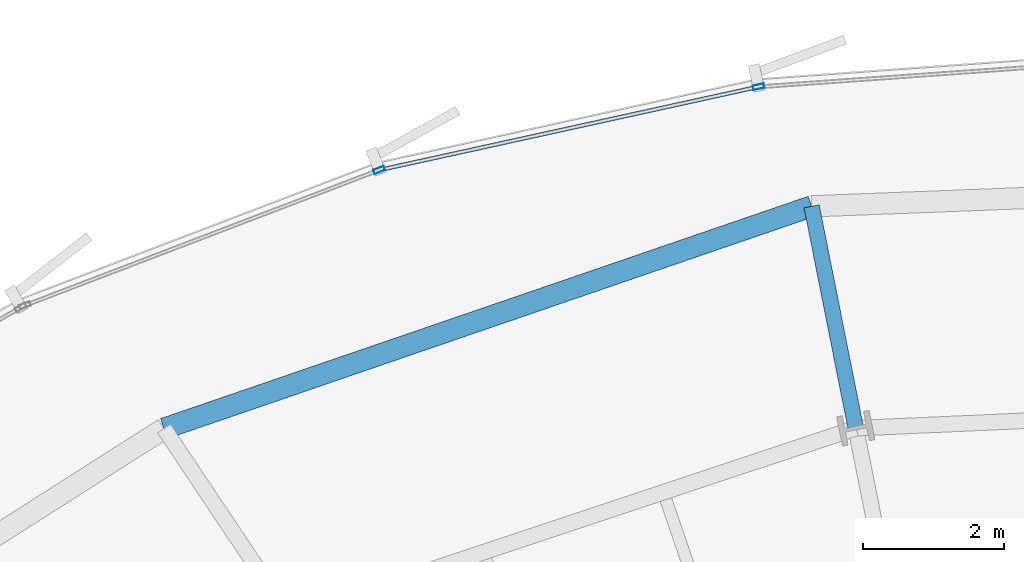
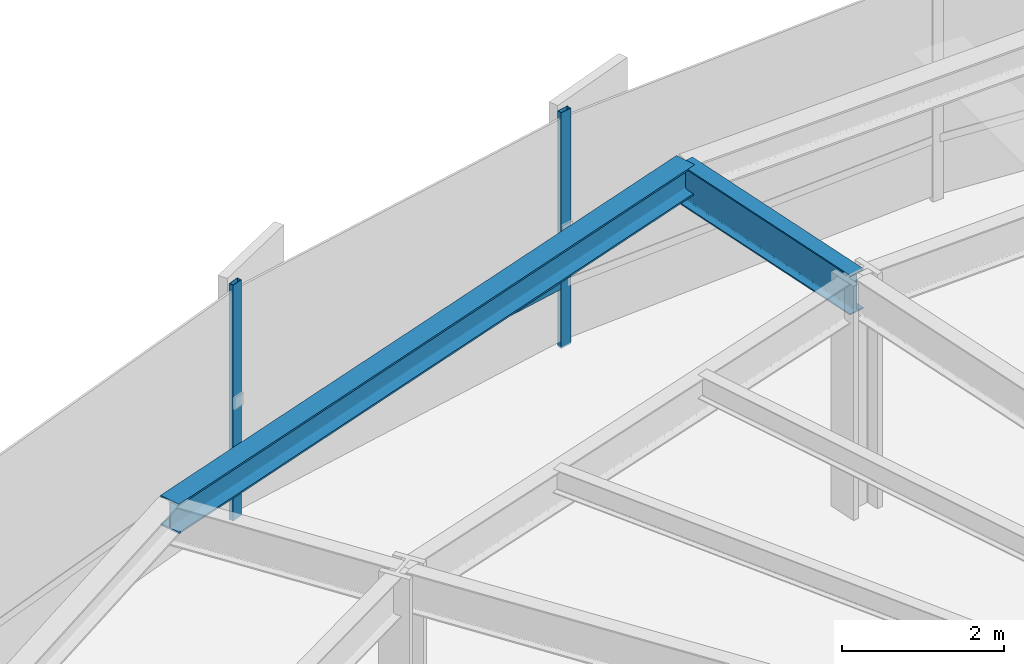
# One storey, part 20 of 38: 3 members, 2 beams, 1 element without a shape of its own.
"""IFC4 building model written with IfcOpenShell, lengths in metres."""

from ifc_helpers import new_model, si_unit, direction, frame, origin, origin_2d, place, context, subcontext, project, spatial, hollow_rectangle, i_section, extrude, source, transform, mapped, material, layer, layer_set, material_profile, profile_set, type_object, element, aggregate, save


model = new_model("IFC4")

# Units and contexts
model_context = context("Model", 3, precision=1e-05, world=origin(), true_north=direction((0.0, 1.0)))
body_context = subcontext(model_context, "Body", "Model", "MODEL_VIEW")
ifc_project = project(units=[si_unit("LENGTHUNIT", "METRE"), si_unit("AREAUNIT", "SQUARE_METRE"), si_unit("VOLUMEUNIT", "CUBIC_METRE"), si_unit("PLANEANGLEUNIT", "RADIAN"), si_unit("MASSUNIT", "GRAM", prefix="KILO"), si_unit("THERMODYNAMICTEMPERATUREUNIT", "KELVIN")], contexts=[model_context])

# Site, building, storey
site_placement = place(None, origin())
site = spatial("IfcSite", under=ifc_project, at=site_placement, CompositionType="ELEMENT")
building_placement = place(site_placement, origin())
building = spatial("IfcBuilding", under=site, at=building_placement, Name="Kethvar Cultural Tower", CompositionType="ELEMENT")
storey_placement = place(building_placement, frame((0.0, 0.0, 29.60009765625)))
storey = spatial("IfcBuildingStorey", under=building, at=storey_placement, Name="L06", CompositionType="ELEMENT", Elevation=29.60009765625)

# Beams
ifc_material_1 = material(Name="Steel S355J2", Category="steel")
ifc_material_profile_1 = material_profile(ifc_material_1, i_section(OverallWidth=0.219970703125, OverallDepth=0.60009765625, WebThickness=0.011962890625, FlangeThickness=0.01904296875, FilletRadius=0.02392578125, at=origin_2d()), Name="Steel S355J2 — IPE600")
ifc_profile_set_1 = profile_set([ifc_material_profile_1], Name="Steel S355J2 — IPE600")
beam_type_1 = type_object("IfcBeamType", Name="BM-IPE600", PredefinedType="BEAM", material=ifc_profile_set_1)
shared_shape_1 = source(origin(), body_context, "Body", "SweptSolid", [
    extrude(i_section(OverallWidth=0.219970703125, OverallDepth=0.60009765625, WebThickness=0.011962890625, FlangeThickness=0.01904296875, FilletRadius=0.02392578125, at=origin_2d()), origin(), (0.0, 0.0, 1.0), 3.199951171875),
])
beam_1_placement = place(storey_placement, frame((42.651611328125, 48.65576171875, 3.247802734375), z_axis=(-0.195162356126, 0.980770949178, 0.0), x_axis=(-0.980770949178, -0.195162356126, 0.0)))
element("IfcBeam", 1, at=beam_1_placement, inside=storey, type_object=beam_type_1, Name="L06 Perimeter Cantilever Beam RC-05", PredefinedType="BEAM", context=body_context, shape_type="MappedRepresentation", body=[
    mapped(shared_shape_1, transform((0.0, 0.0, 0.0), scale=1.0)),
])
ifc_material_profile_2 = material_profile(ifc_material_1, i_section(OverallWidth=0.300048828125, OverallDepth=0.449951171875, WebThickness=0.013916015625, FlangeThickness=0.02587890625, FilletRadius=0.027099609375, at=origin_2d()), Name="Steel S355J2 — HEB450")
ifc_profile_set_2 = profile_set([ifc_material_profile_2], Name="Steel S355J2 — HEB450")
beam_type_2 = type_object("IfcBeamType", Name="BM-SP450", PredefinedType="SPANDREL", material=ifc_profile_set_2)
shared_shape_2 = source(origin(), body_context, "Body", "SweptSolid", [
    extrude(i_section(OverallWidth=0.300048828125, OverallDepth=0.449951171875, WebThickness=0.013916015625, FlangeThickness=0.02587890625, FilletRadius=0.027099609375, at=origin_2d()), origin(), (0.0, 0.0, 1.0), 9.683349609375),
])
beam_2_placement = place(storey_placement, frame((42.027099609375, 51.794189453125, 3.322998046875), z_axis=(-0.945832074112, -0.324656260652, 0.0), x_axis=(0.324656260652, -0.945832074112, 0.0)))
element("IfcBeam", 2, at=beam_2_placement, inside=storey, type_object=beam_type_2, Name="L06 Perimeter Spandrel Beam SP-05", PredefinedType="SPANDREL", context=body_context, shape_type="MappedRepresentation", body=[
    mapped(shared_shape_2, transform((0.0, 0.0, 0.0), scale=1.0)),
])

# Curtain wall, members
ifc_material_2 = material(Name="Aluminium 6063-T6", Category="aluminium")
ifc_layer = layer(ifc_material_2, 0.179931640625, Name="Aluminium 6063-T6", Category="aluminium")
ifc_layer_set = layer_set([ifc_layer], Name="Aluminium 6063-T6 (180 mm)")
curtain_wall_type = type_object("IfcCurtainWallType", Name="CW-SYS-02-Z1", PredefinedType="NOTDEFINED", material=ifc_layer_set)
curtain_wall_placement = place(storey_placement, origin())
curtain_wall = element("IfcCurtainWall", 3, at=curtain_wall_placement, inside=storey, type_object=curtain_wall_type, Name="L06 Curtain Wall Run 02", PredefinedType="NOTDEFINED")
ifc_material_profile_3 = material_profile(ifc_material_2, hollow_rectangle(XDim=0.06494140625, YDim=0.159912109375, WallThickness=0.0048828125, at=origin_2d()), Name="Aluminium 6063-T6 — RHS160x65x5")
ifc_profile_set_3 = profile_set([ifc_material_profile_3], Name="Aluminium 6063-T6 — RHS160x65x5")
member_type_1 = type_object("IfcMemberType", Name="CW-SYS-02-Z1-MUL", PredefinedType="MULLION", material=ifc_profile_set_3)
shared_shape_3 = source(origin(), body_context, "Body", "SweptSolid", [
    extrude(hollow_rectangle(XDim=0.06494140625, YDim=0.159912109375, WallThickness=0.0048828125, at=origin_2d()), origin(), (0.0, 0.0, 1.0), 3.5498046875),
])
member_1_placement = place(storey_placement, frame((41.27587890625, 53.48486328125, 0.0), z_axis=(0.0, 0.0, 1.0), x_axis=(0.214564862428, -0.976709741843, 0.0)))
member_1 = element("IfcMember", 4, at=member_1_placement, type_object=member_type_1, Name="CW-L06-R02 Mullion 5", PredefinedType="MULLION", context=body_context, shape_type="MappedRepresentation", body=[
    mapped(shared_shape_3, transform((0.0, 0.0, 0.0), scale=1.0)),
])
member_2_placement = place(storey_placement, frame((35.911865234375, 52.307861328125, 0.0), z_axis=(0.0, 0.0, 1.0), x_axis=(0.357064076459, -0.934079892355, 0.0)))
member_2 = element("IfcMember", 5, at=member_2_placement, type_object=member_type_1, Name="CW-L06-R02 Mullion 6", PredefinedType="MULLION", context=body_context, shape_type="MappedRepresentation", body=[
    mapped(shared_shape_3, transform((0.0, 0.0, 0.0), scale=1.0)),
])
ifc_material_profile_4 = material_profile(ifc_material_2, hollow_rectangle(XDim=0.054931640625, YDim=0.1201171875, WallThickness=0.00390625, at=origin_2d()), Name="Aluminium 6063-T6 — RHS120x55x4")
ifc_profile_set_4 = profile_set([ifc_material_profile_4], Name="Aluminium 6063-T6 — RHS120x55x4")
member_type_2 = type_object("IfcMemberType", Name="CW-SYS-02-Z1-TRN", PredefinedType="USERDEFINED", material=ifc_profile_set_4)
shared_shape_4 = source(origin(), body_context, "Body", "SweptSolid", [
    extrude(hollow_rectangle(XDim=0.054931640625, YDim=0.1201171875, WallThickness=0.00390625, at=origin_2d()), origin(), (0.0, 0.0, 1.0), 5.416015625),
])
member_3_placement = place(storey_placement, frame((41.230224609375, 53.474853515625, 0.949951171875), z_axis=(-0.976708179789, -0.214571972852, 0.0), x_axis=(0.214571972852, -0.976708179789, 0.0)))
member_3 = element("IfcMember", 6, at=member_3_placement, type_object=member_type_2, Name="CW-L06-R02 Transom 5", ObjectType="TRANSOM", PredefinedType="USERDEFINED", context=body_context, shape_type="MappedRepresentation", body=[
    mapped(shared_shape_4, transform((0.0, 0.0, 0.0), scale=1.0)),
])
aggregate(curtain_wall, [member_1, member_2, member_3])

save(model, "model.ifc")
